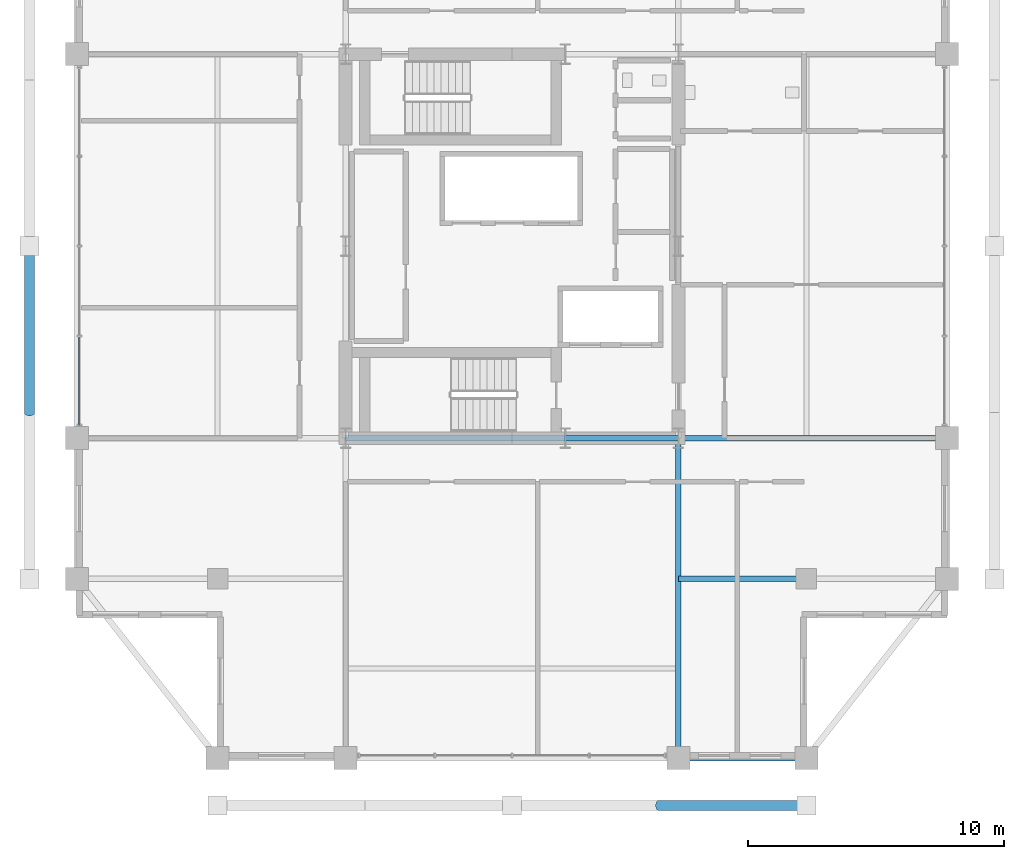
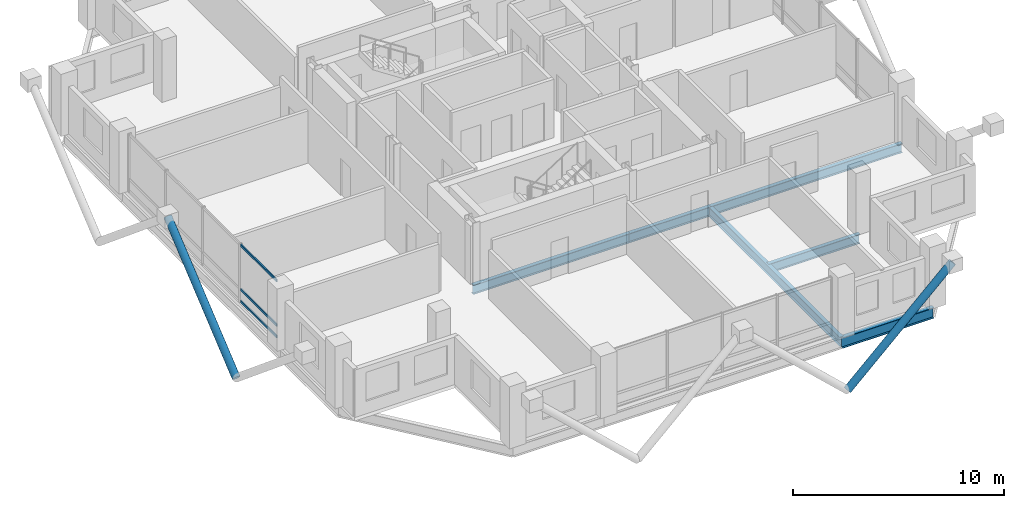
# One storey, part 6 of 22: 6 beams, 5 members, 1 element without a shape of its own.
"""IFC4 building model written with IfcOpenShell, lengths in metres."""

import ifcopenshell
import ifcopenshell.guid

model = None  # the IFC model being written
_history = None  # IfcOwnerHistory: only IFC2X3 demands one
_inside = {}  # id of a spatial element -> (the spatial element, [elements in it])
_under = {}  # id of a project, library or spatial element -> (it, [spatial elements below it])
_declared = {}  # id of a project -> (the project, [libraries it declares])
_typed = {}  # id of a type object -> (the type object, [elements of that type])
_made_of = {}  # id of a material, layer set ... -> (it, [elements and type objects made of it])


def new_model(schema):
    """Start an empty IFC model of exactly this schema.

    Asked for "IFC4X3", IfcOpenShell would pick the latest addendum, in which some entities
    have other attributes; the version numbers below select the first issue.
    IFC2X3 requires an IfcOwnerHistory on every rooted entity: one is made here for all.
    """
    global model, _history
    if schema == "IFC4X3":
        model = ifcopenshell.file(schema_version=(4, 3, 0, 0))
    else:
        model = ifcopenshell.file(schema=schema)
    _inside.clear()
    _under.clear()
    _declared.clear()
    _typed.clear()
    _made_of.clear()
    _history = None
    if model.schema == "IFC2X3":
        org = make("IfcOrganization", Name="unknown")
        user = make(
            "IfcPersonAndOrganization",
            ThePerson=make("IfcPerson", FamilyName="unknown"),
            TheOrganization=org,
        )
        app = make(
            "IfcApplication",
            ApplicationDeveloper=org,
            Version="unknown",
            ApplicationFullName="unknown",
            ApplicationIdentifier="unknown",
        )
        _history = make(
            "IfcOwnerHistory",
            OwningUser=user,
            OwningApplication=app,
            ChangeAction="ADDED",
            CreationDate=0,
        )
    return model


def make(cls, **values):
    """One entity of the class cls with the attributes given. An attribute that is None is left unset."""
    return model.create_entity(
        cls, **{name: value for name, value in values.items() if value is not None}
    )


def rooted(cls, **values):
    """An entity with a GlobalId (a new one), such as an element, a storey or a relation."""
    return make(cls, GlobalId=ifcopenshell.guid.new(), OwnerHistory=_history, **values)


def si_unit(unit_type, name, prefix=None):
    """IfcSIUnit, for example si_unit("LENGTHUNIT", "METRE", prefix="MILLI")."""
    return make("IfcSIUnit", UnitType=unit_type, Prefix=prefix, Name=name)


def assignment(units):
    """IfcUnitAssignment: the units of a project."""
    return None if units is None else make("IfcUnitAssignment", Units=units)


def point(xyz):
    """IfcCartesianPoint."""
    return None if xyz is None else make("IfcCartesianPoint", Coordinates=xyz)


def direction(xyz):
    """IfcDirection."""
    return None if xyz is None else make("IfcDirection", DirectionRatios=xyz)


def frame(location, z_axis=None, x_axis=None):
    """IfcAxis2Placement3D, a coordinate frame: its origin and axes. An axis left out is left unset."""
    return make(
        "IfcAxis2Placement3D",
        Location=point(location),
        Axis=direction(z_axis),
        RefDirection=direction(x_axis),
    )


def frame_2d(location, x_axis=None):
    """IfcAxis2Placement2D, a coordinate frame in the plane: its origin and x axis."""
    return make(
        "IfcAxis2Placement2D", Location=point(location), RefDirection=direction(x_axis)
    )


def origin():
    """The frame at (0, 0, 0) with its axes left unset."""
    return frame((0.0, 0.0, 0.0))


def origin_2d():
    """The frame at (0, 0) in the plane with its x axis left unset."""
    return frame_2d((0.0, 0.0))


def place(relative_to, where):
    """IfcLocalPlacement: puts the frame where relative to a parent placement (None: the world)."""
    return make(
        "IfcLocalPlacement", PlacementRelTo=relative_to, RelativePlacement=where
    )


def context(
    kind, dimensions, precision=None, world=None, true_north=None, identifier=None
):
    """IfcGeometricRepresentationContext, for example the 3D "Model" context."""
    return make(
        "IfcGeometricRepresentationContext",
        ContextIdentifier=identifier,
        ContextType=kind,
        CoordinateSpaceDimension=dimensions,
        Precision=precision,
        WorldCoordinateSystem=world,
        TrueNorth=true_north,
    )


def subcontext(parent, identifier, kind, view, scale=None):
    """IfcGeometricRepresentationSubContext, for example "Body" below "Model"."""
    return make(
        "IfcGeometricRepresentationSubContext",
        ContextIdentifier=identifier,
        ContextType=kind,
        ParentContext=parent,
        TargetScale=scale,
        TargetView=view,
    )


def project(units=None, contexts=None):
    """IfcProject with its units and contexts."""
    return rooted(
        "IfcProject",
        Name="project",
        RepresentationContexts=contexts,
        UnitsInContext=assignment(units),
    )


def spatial(cls, under=None, at=None, **own):
    """A site, building, storey or space (cls), placed at a placement, below another one or the project."""
    s = rooted(cls, ObjectPlacement=at, **own)
    if under is not None:
        _under.setdefault(under.id(), (under, []))[1].append(s)
    return s


def profile(cls, at=None, kind="AREA", **sizes):
    """A parametric profile (cls). Its sizes go by their IFC names, for example OverallWidth=200.0."""
    return make(cls, ProfileType=kind, Position=at, **sizes)


def hollow_rectangle(**sizes):
    """IfcRectangleHollowProfileDef."""
    return profile("IfcRectangleHollowProfileDef", **sizes)


def hollow_circle(**sizes):
    """IfcCircleHollowProfileDef."""
    return profile("IfcCircleHollowProfileDef", **sizes)


def i_section(**sizes):
    """IfcIShapeProfileDef."""
    return profile("IfcIShapeProfileDef", **sizes)


def extrude(swept, where, along, depth):
    """IfcExtrudedAreaSolid: the profile swept, set in the frame where, extruded along a direction by depth."""
    return make(
        "IfcExtrudedAreaSolid",
        SweptArea=swept,
        Position=where,
        ExtrudedDirection=direction(along),
        Depth=depth,
    )


def shape(context_of_items, identifier, shape_type, items):
    """IfcShapeRepresentation: the items that make up one representation, for example the "Body"."""
    return make(
        "IfcShapeRepresentation",
        ContextOfItems=context_of_items,
        RepresentationIdentifier=identifier,
        RepresentationType=shape_type,
        Items=items,
    )


def material(Name=None, Category=None):
    """IfcMaterial."""
    return make("IfcMaterial", Name=Name, Category=Category)


def layer(
    of_material, thickness, ventilated=None, Name=None, Category=None, Priority=None
):
    """IfcMaterialLayer: one layer of a wall or slab, of a material (None: an air gap)."""
    return make(
        "IfcMaterialLayer",
        Material=of_material,
        LayerThickness=thickness,
        IsVentilated=ventilated,
        Name=Name,
        Category=Category,
        Priority=Priority,
    )


def layer_set(layers, Name=None):
    """IfcMaterialLayerSet."""
    return make("IfcMaterialLayerSet", MaterialLayers=layers, LayerSetName=Name)


def material_profile(
    of_material, cross_section, Name=None, Category=None, Priority=None
):
    """IfcMaterialProfile: a cross section and its material."""
    return make(
        "IfcMaterialProfile",
        Name=Name,
        Material=of_material,
        Profile=cross_section,
        Priority=Priority,
        Category=Category,
    )


def profile_set(profiles, Name=None, composite=None):
    """IfcMaterialProfileSet."""
    return make(
        "IfcMaterialProfileSet",
        Name=Name,
        MaterialProfiles=profiles,
        CompositeProfile=composite,
    )


def made_of(thing, what):
    """Note that an element or type object is made of a material, layer set ...; save() writes the relation."""
    if what is not None:
        _made_of.setdefault(what.id(), (what, []))[1].append(thing)
    return thing


def type_object(cls, material=None, **own):
    """A type object (cls), such as IfcWallType, which elements share."""
    return made_of(rooted(cls, **own), material)


def element(
    cls,
    number,
    at=None,
    inside=None,
    cuts=None,
    type_object=None,
    material=None,
    context=None,
    identifier="Body",
    shape_type=None,
    held_by="IfcProductDefinitionShape",
    body=None,
    shapes=None,
    **own,
):
    """One element of the class cls, such as IfcWall. Its Tag is "e" and its number.

    at: its placement. inside: the storey or other place that contains it. cuts: it is an
    opening in that element (IfcRelVoidsElement). A single representation is given by context,
    identifier, shape_type and body (its items); several are given by shapes. held_by: the class
    of the entity that holds the representations. save() writes the other relations.
    """
    e = rooted(cls, Tag="e%d" % number, ObjectPlacement=at, **own)
    if body is not None:
        shapes = [shape(context, identifier, shape_type, body)]
    if shapes is not None:
        e.Representation = make(held_by, Representations=shapes)
    if inside is not None:
        _inside.setdefault(inside.id(), (inside, []))[1].append(e)
    if cuts is not None:
        rooted(
            "IfcRelVoidsElement", RelatingBuildingElement=cuts, RelatedOpeningElement=e
        )
    if type_object is not None:
        _typed.setdefault(type_object.id(), (type_object, []))[1].append(e)
    return made_of(e, material)


def aggregate(whole, parts):
    """IfcRelAggregates: a whole, such as a stair, and the parts it consists of."""
    return rooted("IfcRelAggregates", RelatingObject=whole, RelatedObjects=parts)


def save(model, path):
    """Write the relations noted so far, then the file.

    IfcRelAggregates (storeys below a building ...), IfcRelContainedInSpatialStructure (elements
    in a storey), IfcRelDefinesByType, IfcRelAssociatesMaterial and IfcRelDeclares: one each for
    every whole, place, type object, material and project.
    """
    for whole, parts in _under.values():
        aggregate(whole, parts)
    for where, things in _inside.values():
        rooted(
            "IfcRelContainedInSpatialStructure",
            RelatedElements=things,
            RelatingStructure=where,
        )
    for kind, things in _typed.values():
        rooted("IfcRelDefinesByType", RelatedObjects=things, RelatingType=kind)
    for what, things in _made_of.values():
        rooted("IfcRelAssociatesMaterial", RelatedObjects=things, RelatingMaterial=what)
    for by, libraries in _declared.values():
        rooted("IfcRelDeclares", RelatingContext=by, RelatedDefinitions=libraries)
    model.write(path)


model = new_model("IFC4")

# Units and contexts
model_context = context("Model", 3, precision=1e-05, world=origin(), true_north=direction((0.0, 1.0)))
body_context = subcontext(model_context, "Body", "Model", "MODEL_VIEW")
ifc_project = project(units=[si_unit("LENGTHUNIT", "METRE"), si_unit("AREAUNIT", "SQUARE_METRE"), si_unit("VOLUMEUNIT", "CUBIC_METRE"), si_unit("PLANEANGLEUNIT", "RADIAN"), si_unit("MASSUNIT", "GRAM", prefix="KILO")], contexts=[model_context])

# Site, building, storey
site_placement = place(None, origin())
site = spatial("IfcSite", under=ifc_project, at=site_placement, CompositionType="ELEMENT")
building_placement = place(site_placement, origin())
building = spatial("IfcBuilding", under=site, at=building_placement, Name="Barlavira Tower and Art Museum", CompositionType="ELEMENT")
storey_placement = place(building_placement, frame((0.0, 0.0, 269.10009765625)))
storey = spatial("IfcBuildingStorey", under=building, at=storey_placement, Name="L70", CompositionType="ELEMENT", Elevation=269.10009765625)

# Curtain wall, members
ifc_material_1 = material(Name="Low-iron coastal laminated glass", Category="glass")
ifc_layer = layer(ifc_material_1, 0.2099609375, Name="Low-iron coastal laminated glass")
ifc_layer_set = layer_set([ifc_layer], Name="Low-iron coastal laminated glass")
curtain_wall_type = type_object("IfcCurtainWallType", Name="Pale-Metal Unitised Curtain Wall Zone 4", PredefinedType="NOTDEFINED", material=ifc_layer_set)
curtain_wall_placement = place(storey_placement, origin())
curtain_wall = element("IfcCurtainWall", 1, at=curtain_wall_placement, inside=storey, type_object=curtain_wall_type, Name="L70 Curtain Wall CW4-L70-W-B3", PredefinedType="NOTDEFINED")
ifc_material_2 = material(Name="Pale anodised aluminium", Category="aluminium")
ifc_material_profile_1 = material_profile(ifc_material_2, hollow_rectangle(XDim=0.06494140625, YDim=0.139892578125, WallThickness=0.00390625, at=origin_2d()), Name="ALU-TRAN 65x140x4")
ifc_profile_set_1 = profile_set([ifc_material_profile_1], Name="Pale anodised aluminium")
member_type_1 = type_object("IfcMemberType", Name="Curtain Wall Pale-Metal Transom 65x140", PredefinedType="USERDEFINED", material=ifc_profile_set_1)
member_1_placement = place(storey_placement, frame((-16.89990234375, -3.56005859375, 0.06982421875), z_axis=(0.0, -1.0, 0.0), x_axis=(1.0, 0.0, 0.0)))
member_1 = element("IfcMember", 2, at=member_1_placement, type_object=member_type_1, Name="CW4-L70-W-B3 Transom 3.1", ObjectType="TRANSOM", PredefinedType="USERDEFINED", context=body_context, shape_type="SweptSolid", body=[
    extrude(hollow_rectangle(XDim=0.06494140625, YDim=0.139892578125, WallThickness=0.00390625, at=origin_2d()), origin(), (0.0, 0.0, 1.0), 3.425048828125),
])
member_2_placement = place(storey_placement, frame((-16.89990234375, -3.56005859375, 0.743896484375), z_axis=(0.0, -1.0, 0.0), x_axis=(1.0, 0.0, 0.0)))
member_2 = element("IfcMember", 3, at=member_2_placement, type_object=member_type_1, Name="CW4-L70-W-B3 Transom 3.2", ObjectType="TRANSOM", PredefinedType="USERDEFINED", context=body_context, shape_type="SweptSolid", body=[
    extrude(hollow_rectangle(XDim=0.06494140625, YDim=0.139892578125, WallThickness=0.00390625, at=origin_2d()), origin(), (0.0, 0.0, 1.0), 3.425048828125),
])
member_3_placement = place(storey_placement, frame((-16.89990234375, -3.56005859375, 3.309814453125), z_axis=(0.0, -1.0, 0.0), x_axis=(1.0, 0.0, 0.0)))
member_3 = element("IfcMember", 4, at=member_3_placement, type_object=member_type_1, Name="CW4-L70-W-B3 Transom 3.3", ObjectType="TRANSOM", PredefinedType="USERDEFINED", context=body_context, shape_type="SweptSolid", body=[
    extrude(hollow_rectangle(XDim=0.06494140625, YDim=0.139892578125, WallThickness=0.00390625, at=origin_2d()), origin(), (0.0, 0.0, 1.0), 3.425048828125),
])
aggregate(curtain_wall, [member_1, member_2, member_3])

# Members
ifc_material_3 = material(Name="Steel S355", Category="steel")
ifc_material_profile_2 = material_profile(ifc_material_3, hollow_circle(Radius=0.203125, WallThickness=0.01611328125, at=origin_2d()), Name="CHS 406.4x16.0")
ifc_profile_set_2 = profile_set([ifc_material_profile_2], Name="Steel S355")
member_type_2 = type_object("IfcMemberType", Name="Pale-Metal Exoskeleton Diagrid Tube CHS 406x16 Steel S355", PredefinedType="BRACE", material=ifc_profile_set_2)
member_4_placement = place(storey_placement, frame((5.75, -21.85009765625, -1.920166015625), z_axis=(0.728934650808, 0.0, 0.684583285548), x_axis=(0.0, 1.0, 0.0)))
element("IfcMember", 5, at=member_4_placement, inside=storey, type_object=member_type_2, Name="L70 Exoskeleton Diagrid Tube S", PredefinedType="BRACE", context=body_context, shape_type="SweptSolid", body=[
    extrude(hollow_circle(Radius=0.203125, WallThickness=0.01611328125, at=origin_2d()), origin(), (0.0, 0.0, 1.0), 7.88818359375),
])
member_5_placement = place(storey_placement, frame((-18.85009765625, -6.5, -1.920166015625), z_axis=(0.0, 0.76918185268, 0.639029950399), x_axis=(-1.0, 0.0, 0.0)))
element("IfcMember", 6, at=member_5_placement, inside=storey, type_object=member_type_2, Name="L70 Exoskeleton Diagrid Tube W", PredefinedType="BRACE", context=body_context, shape_type="SweptSolid", body=[
    extrude(hollow_circle(Radius=0.203125, WallThickness=0.01611328125, at=origin_2d()), origin(), (0.0, 0.0, 1.0), 8.450439453125),
])

# Beams
ifc_material_profile_3 = material_profile(ifc_material_3, i_section(OverallWidth=0.22998046875, OverallDepth=0.616943359375, WebThickness=0.01318359375, FlangeThickness=0.022216796875, at=origin_2d()), Name="W610x140.0")
ifc_profile_set_3 = profile_set([ifc_material_profile_3], Name="Steel S355")
beam_type_1 = type_object("IfcBeamType", Name="Upper Shaft Spandrel Edge Beam W610x140 Steel S355", PredefinedType="SPANDREL", material=ifc_profile_set_3)
beam_1_placement = place(storey_placement, frame((6.5, -20.0, -0.528564453125), z_axis=(1.0, 0.0, 0.0), x_axis=(0.0, 1.0, 0.0)))
element("IfcBeam", 7, at=beam_1_placement, inside=storey, type_object=beam_type_1, Name="L70 Spandrel 3", PredefinedType="SPANDREL", context=body_context, shape_type="SweptSolid", body=[
    extrude(i_section(OverallWidth=0.22998046875, OverallDepth=0.616943359375, WebThickness=0.01318359375, FlangeThickness=0.022216796875, at=origin_2d()), origin(), (0.0, 0.0, 1.0), 5.0),
])
ifc_material_profile_4 = material_profile(ifc_material_3, i_section(OverallWidth=0.2109375, OverallDepth=0.5390625, WebThickness=0.01171875, FlangeThickness=0.018798828125, at=origin_2d()), Name="W530x109.0")
ifc_profile_set_4 = profile_set([ifc_material_profile_4], Name="Steel S355")
beam_type_2 = type_object("IfcBeamType", Name="Zone 3-4 Primary Floor Girder W530x109 Steel S355", PredefinedType="BEAM", material=ifc_profile_set_4)
beam_2_placement = place(storey_placement, frame((-6.5, -7.5, -0.489501953125), z_axis=(1.0, 0.0, 0.0), x_axis=(0.0, 1.0, 0.0)))
element("IfcBeam", 8, at=beam_2_placement, inside=storey, type_object=beam_type_2, Name="L70 Girder C-S1", PredefinedType="BEAM", context=body_context, shape_type="SweptSolid", body=[
    extrude(i_section(OverallWidth=0.2109375, OverallDepth=0.5390625, WebThickness=0.01171875, FlangeThickness=0.018798828125, at=origin_2d()), origin(), (0.0, 0.0, 1.0), 8.580078125),
])
beam_3_placement = place(storey_placement, frame((2.080078125, -7.5, -0.489501953125), z_axis=(1.0, 0.0, 0.0), x_axis=(0.0, 1.0, 0.0)))
element("IfcBeam", 9, at=beam_3_placement, inside=storey, type_object=beam_type_2, Name="L70 Girder C-S2", PredefinedType="BEAM", context=body_context, shape_type="SweptSolid", body=[
    extrude(i_section(OverallWidth=0.2109375, OverallDepth=0.5390625, WebThickness=0.01171875, FlangeThickness=0.018798828125, at=origin_2d()), origin(), (0.0, 0.0, 1.0), 4.419921875),
])
beam_4_placement = place(storey_placement, frame((6.5, -20.0, -0.489501953125), z_axis=(0.0, 1.0, 0.0), x_axis=(-1.0, 0.0, 0.0)))
element("IfcBeam", 10, at=beam_4_placement, inside=storey, type_object=beam_type_2, Name="L70 Girder R-S2", PredefinedType="BEAM", context=body_context, shape_type="SweptSolid", body=[
    extrude(i_section(OverallWidth=0.2109375, OverallDepth=0.5390625, WebThickness=0.01171875, FlangeThickness=0.018798828125, at=origin_2d()), origin(), (0.0, 0.0, 1.0), 12.5),
])
beam_5_placement = place(storey_placement, frame((6.5, -7.5, -0.489501953125), z_axis=(1.0, 0.0, 0.0), x_axis=(0.0, 1.0, 0.0)))
element("IfcBeam", 11, at=beam_5_placement, inside=storey, type_object=beam_type_2, Name="L70 Girder R-E1", PredefinedType="BEAM", context=body_context, shape_type="SweptSolid", body=[
    extrude(i_section(OverallWidth=0.2109375, OverallDepth=0.5390625, WebThickness=0.01171875, FlangeThickness=0.018798828125, at=origin_2d()), origin(), (0.0, 0.0, 1.0), 10.5),
])
beam_6_placement = place(storey_placement, frame((6.5, -13.0, -0.489501953125), z_axis=(1.0, 0.0, 0.0), x_axis=(0.0, 1.0, 0.0)))
element("IfcBeam", 12, at=beam_6_placement, inside=storey, type_object=beam_type_2, Name="L70 Girder I-S3", PredefinedType="BEAM", context=body_context, shape_type="SweptSolid", body=[
    extrude(i_section(OverallWidth=0.2109375, OverallDepth=0.5390625, WebThickness=0.01171875, FlangeThickness=0.018798828125, at=origin_2d()), origin(), (0.0, 0.0, 1.0), 5.0),
])

save(model, "model.ifc")
